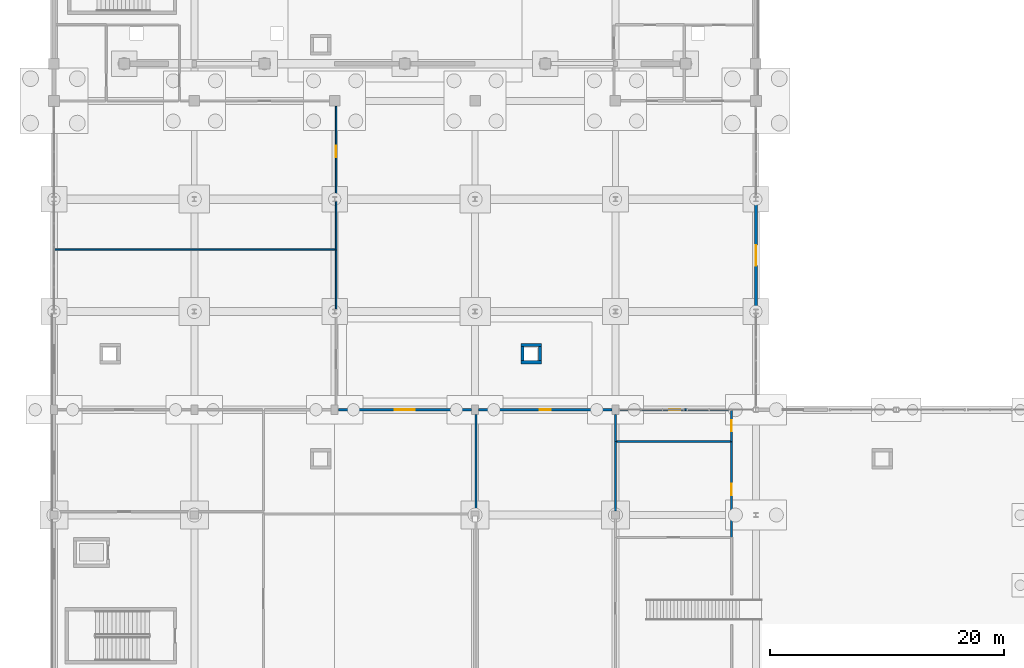
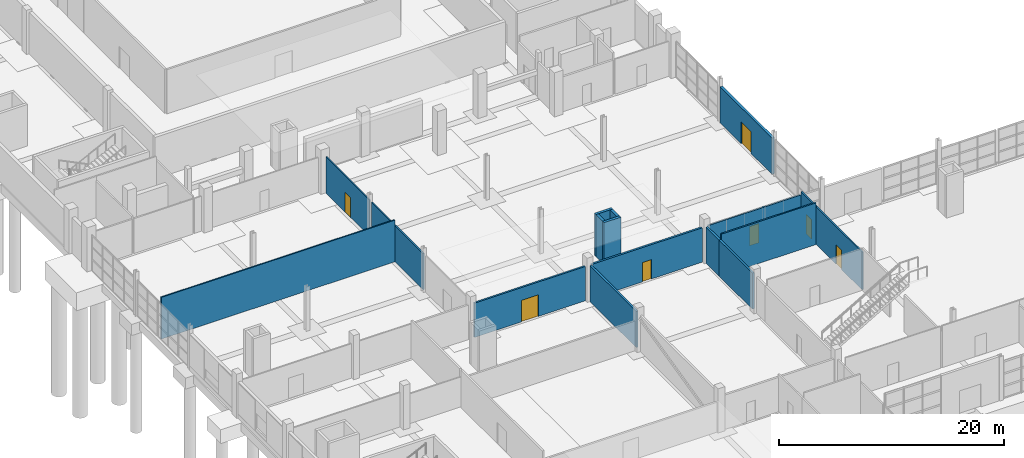
# One storey, part 56 of 82: 18 walls, 7 doors, 7 openings.
"""IFC4 building model written with IfcOpenShell, lengths in metres."""

import ifcopenshell
import ifcopenshell.guid

model = None  # the IFC model being written
_history = None  # IfcOwnerHistory: only IFC2X3 demands one
_inside = {}  # id of a spatial element -> (the spatial element, [elements in it])
_under = {}  # id of a project, library or spatial element -> (it, [spatial elements below it])
_declared = {}  # id of a project -> (the project, [libraries it declares])
_typed = {}  # id of a type object -> (the type object, [elements of that type])
_made_of = {}  # id of a material, layer set ... -> (it, [elements and type objects made of it])


def new_model(schema):
    """Start an empty IFC model of exactly this schema.

    Asked for "IFC4X3", IfcOpenShell would pick the latest addendum, in which some entities
    have other attributes; the version numbers below select the first issue.
    IFC2X3 requires an IfcOwnerHistory on every rooted entity: one is made here for all.
    """
    global model, _history
    if schema == "IFC4X3":
        model = ifcopenshell.file(schema_version=(4, 3, 0, 0))
    else:
        model = ifcopenshell.file(schema=schema)
    _inside.clear()
    _under.clear()
    _declared.clear()
    _typed.clear()
    _made_of.clear()
    _history = None
    if model.schema == "IFC2X3":
        org = make("IfcOrganization", Name="unknown")
        user = make(
            "IfcPersonAndOrganization",
            ThePerson=make("IfcPerson", FamilyName="unknown"),
            TheOrganization=org,
        )
        app = make(
            "IfcApplication",
            ApplicationDeveloper=org,
            Version="unknown",
            ApplicationFullName="unknown",
            ApplicationIdentifier="unknown",
        )
        _history = make(
            "IfcOwnerHistory",
            OwningUser=user,
            OwningApplication=app,
            ChangeAction="ADDED",
            CreationDate=0,
        )
    return model


def make(cls, **values):
    """One entity of the class cls with the attributes given. An attribute that is None is left unset."""
    return model.create_entity(
        cls, **{name: value for name, value in values.items() if value is not None}
    )


def rooted(cls, **values):
    """An entity with a GlobalId (a new one), such as an element, a storey or a relation."""
    return make(cls, GlobalId=ifcopenshell.guid.new(), OwnerHistory=_history, **values)


def si_unit(unit_type, name, prefix=None):
    """IfcSIUnit, for example si_unit("LENGTHUNIT", "METRE", prefix="MILLI")."""
    return make("IfcSIUnit", UnitType=unit_type, Prefix=prefix, Name=name)


def assignment(units):
    """IfcUnitAssignment: the units of a project."""
    return None if units is None else make("IfcUnitAssignment", Units=units)


def point(xyz):
    """IfcCartesianPoint."""
    return None if xyz is None else make("IfcCartesianPoint", Coordinates=xyz)


def direction(xyz):
    """IfcDirection."""
    return None if xyz is None else make("IfcDirection", DirectionRatios=xyz)


def frame(location, z_axis=None, x_axis=None):
    """IfcAxis2Placement3D, a coordinate frame: its origin and axes. An axis left out is left unset."""
    return make(
        "IfcAxis2Placement3D",
        Location=point(location),
        Axis=direction(z_axis),
        RefDirection=direction(x_axis),
    )


def frame_2d(location, x_axis=None):
    """IfcAxis2Placement2D, a coordinate frame in the plane: its origin and x axis."""
    return make(
        "IfcAxis2Placement2D", Location=point(location), RefDirection=direction(x_axis)
    )


def origin():
    """The frame at (0, 0, 0) with its axes left unset."""
    return frame((0.0, 0.0, 0.0))


def place(relative_to, where):
    """IfcLocalPlacement: puts the frame where relative to a parent placement (None: the world)."""
    return make(
        "IfcLocalPlacement", PlacementRelTo=relative_to, RelativePlacement=where
    )


def context(
    kind, dimensions, precision=None, world=None, true_north=None, identifier=None
):
    """IfcGeometricRepresentationContext, for example the 3D "Model" context."""
    return make(
        "IfcGeometricRepresentationContext",
        ContextIdentifier=identifier,
        ContextType=kind,
        CoordinateSpaceDimension=dimensions,
        Precision=precision,
        WorldCoordinateSystem=world,
        TrueNorth=true_north,
    )


def subcontext(parent, identifier, kind, view, scale=None):
    """IfcGeometricRepresentationSubContext, for example "Body" below "Model"."""
    return make(
        "IfcGeometricRepresentationSubContext",
        ContextIdentifier=identifier,
        ContextType=kind,
        ParentContext=parent,
        TargetScale=scale,
        TargetView=view,
    )


def project(units=None, contexts=None):
    """IfcProject with its units and contexts."""
    return rooted(
        "IfcProject",
        Name="project",
        RepresentationContexts=contexts,
        UnitsInContext=assignment(units),
    )


def spatial(cls, under=None, at=None, **own):
    """A site, building, storey or space (cls), placed at a placement, below another one or the project."""
    s = rooted(cls, ObjectPlacement=at, **own)
    if under is not None:
        _under.setdefault(under.id(), (under, []))[1].append(s)
    return s


def profile(cls, at=None, kind="AREA", **sizes):
    """A parametric profile (cls). Its sizes go by their IFC names, for example OverallWidth=200.0."""
    return make(cls, ProfileType=kind, Position=at, **sizes)


def rectangle(**sizes):
    """IfcRectangleProfileDef."""
    return profile("IfcRectangleProfileDef", **sizes)


def extrude(swept, where, along, depth):
    """IfcExtrudedAreaSolid: the profile swept, set in the frame where, extruded along a direction by depth."""
    return make(
        "IfcExtrudedAreaSolid",
        SweptArea=swept,
        Position=where,
        ExtrudedDirection=direction(along),
        Depth=depth,
    )


def shape(context_of_items, identifier, shape_type, items):
    """IfcShapeRepresentation: the items that make up one representation, for example the "Body"."""
    return make(
        "IfcShapeRepresentation",
        ContextOfItems=context_of_items,
        RepresentationIdentifier=identifier,
        RepresentationType=shape_type,
        Items=items,
    )


def material(Name=None, Category=None):
    """IfcMaterial."""
    return make("IfcMaterial", Name=Name, Category=Category)


def layer(
    of_material, thickness, ventilated=None, Name=None, Category=None, Priority=None
):
    """IfcMaterialLayer: one layer of a wall or slab, of a material (None: an air gap)."""
    return make(
        "IfcMaterialLayer",
        Material=of_material,
        LayerThickness=thickness,
        IsVentilated=ventilated,
        Name=Name,
        Category=Category,
        Priority=Priority,
    )


def layer_set(layers, Name=None):
    """IfcMaterialLayerSet."""
    return make("IfcMaterialLayerSet", MaterialLayers=layers, LayerSetName=Name)


def made_of(thing, what):
    """Note that an element or type object is made of a material, layer set ...; save() writes the relation."""
    if what is not None:
        _made_of.setdefault(what.id(), (what, []))[1].append(thing)
    return thing


def type_object(cls, material=None, **own):
    """A type object (cls), such as IfcWallType, which elements share."""
    return made_of(rooted(cls, **own), material)


def element(
    cls,
    number,
    at=None,
    inside=None,
    cuts=None,
    type_object=None,
    material=None,
    context=None,
    identifier="Body",
    shape_type=None,
    held_by="IfcProductDefinitionShape",
    body=None,
    shapes=None,
    **own,
):
    """One element of the class cls, such as IfcWall. Its Tag is "e" and its number.

    at: its placement. inside: the storey or other place that contains it. cuts: it is an
    opening in that element (IfcRelVoidsElement). A single representation is given by context,
    identifier, shape_type and body (its items); several are given by shapes. held_by: the class
    of the entity that holds the representations. save() writes the other relations.
    """
    e = rooted(cls, Tag="e%d" % number, ObjectPlacement=at, **own)
    if body is not None:
        shapes = [shape(context, identifier, shape_type, body)]
    if shapes is not None:
        e.Representation = make(held_by, Representations=shapes)
    if inside is not None:
        _inside.setdefault(inside.id(), (inside, []))[1].append(e)
    if cuts is not None:
        rooted(
            "IfcRelVoidsElement", RelatingBuildingElement=cuts, RelatedOpeningElement=e
        )
    if type_object is not None:
        _typed.setdefault(type_object.id(), (type_object, []))[1].append(e)
    return made_of(e, material)


def fill(opening, filler):
    """IfcRelFillsElement: the door or window that sits in an opening."""
    return rooted(
        "IfcRelFillsElement",
        RelatingOpeningElement=opening,
        RelatedBuildingElement=filler,
    )


def aggregate(whole, parts):
    """IfcRelAggregates: a whole, such as a stair, and the parts it consists of."""
    return rooted("IfcRelAggregates", RelatingObject=whole, RelatedObjects=parts)


def save(model, path):
    """Write the relations noted so far, then the file.

    IfcRelAggregates (storeys below a building ...), IfcRelContainedInSpatialStructure (elements
    in a storey), IfcRelDefinesByType, IfcRelAssociatesMaterial and IfcRelDeclares: one each for
    every whole, place, type object, material and project.
    """
    for whole, parts in _under.values():
        aggregate(whole, parts)
    for where, things in _inside.values():
        rooted(
            "IfcRelContainedInSpatialStructure",
            RelatedElements=things,
            RelatingStructure=where,
        )
    for kind, things in _typed.values():
        rooted("IfcRelDefinesByType", RelatedObjects=things, RelatingType=kind)
    for what, things in _made_of.values():
        rooted("IfcRelAssociatesMaterial", RelatedObjects=things, RelatingMaterial=what)
    for by, libraries in _declared.values():
        rooted("IfcRelDeclares", RelatingContext=by, RelatedDefinitions=libraries)
    model.write(path)


model = new_model("IFC4")

# Units and contexts
model_context = context("Model", 3, precision=1e-05, world=origin(), true_north=direction((0.0, 1.0)))
body_context = subcontext(model_context, "Body", "Model", "MODEL_VIEW")
ifc_project = project(units=[si_unit("LENGTHUNIT", "METRE"), si_unit("AREAUNIT", "SQUARE_METRE"), si_unit("VOLUMEUNIT", "CUBIC_METRE"), si_unit("PLANEANGLEUNIT", "RADIAN"), si_unit("MASSUNIT", "GRAM", prefix="KILO")], contexts=[model_context])

# Site, building, storey
site_placement = place(None, origin())
site = spatial("IfcSite", under=ifc_project, at=site_placement, CompositionType="ELEMENT")
building_placement = place(site_placement, origin())
building = spatial("IfcBuilding", under=site, at=building_placement, Name="Kelmvaro Bay Concert Hall", CompositionType="ELEMENT")
storey_placement = place(building_placement, origin())
storey = spatial("IfcBuildingStorey", under=building, at=storey_placement, Name="L00", CompositionType="ELEMENT", Elevation=0.0)

# Walls
ifc_material_1 = material(Name="Acoustic Gypsum Board on Galvanised Steel Studs", Category="steel")
ifc_layer_1 = layer(ifc_material_1, 0.1298828125)
ifc_layer_set_1 = layer_set([ifc_layer_1], Name="Acoustic Gypsum Board on Galvanised Steel Studs")
wall_type_1 = type_object("IfcWallType", Name="Classroom Acoustic Partition 130", PredefinedType="PARTITIONING", material=ifc_layer_set_1)
wall_1_placement = place(storey_placement, frame((24.1201171875, 47.594482421875, 0.0), z_axis=(0.0, 0.0, 1.0), x_axis=(0.0, 1.0, 0.0)))
element("IfcWall", 1, at=wall_1_placement, inside=storey, type_object=wall_type_1, Name="L00 Interior Partition PT-L00-0121", PredefinedType="PARTITIONING", context=body_context, shape_type="SweptSolid", body=[
    extrude(rectangle(XDim=5.090576171875, YDim=0.1298828125, at=frame_2d((2.54541015625, 0.0))), origin(), (0.0, 0.0, 1.0), 3.9189453125),
])
wall_2_placement = place(storey_placement, frame((0.050048828125, 52.679931640625, 0.0), z_axis=(0.0, 0.0, 1.0), x_axis=(1.0, 0.0, 0.0)))
element("IfcWall", 2, at=wall_2_placement, inside=storey, type_object=wall_type_1, Name="L00 Interior Partition PT-L00-0124", PredefinedType="PARTITIONING", context=body_context, shape_type="SweptSolid", body=[
    extrude(rectangle(XDim=23.994873046875, YDim=0.1298828125, at=frame_2d((11.99755859375, 0.0))), origin(), (0.0, 0.0, 1.0), 4.530029296875),
])
ifc_material_2 = material(Name="Acoustic Gypsum Board on Galvanised Steel Studs", Category="steel")
ifc_layer_2 = layer(ifc_material_2, 0.199951171875)
ifc_layer_set_2 = layer_set([ifc_layer_2], Name="Acoustic Gypsum Board on Galvanised Steel Studs")
wall_type_2 = type_object("IfcWallType", Name="Double-Stud Acoustic Studio Partition 200", PredefinedType="PARTITIONING", material=ifc_layer_set_2)
wall_3_placement = place(storey_placement, frame((36.080078125, 30.35791015625, 0.0), z_axis=(0.0, 0.0, 1.0), x_axis=(0.0, 1.0, 0.0)))
element("IfcWall", 3, at=wall_3_placement, inside=storey, type_object=wall_type_2, Name="L00 Interior Partition PT-L00-0065", PredefinedType="PARTITIONING", context=body_context, shape_type="SweptSolid", body=[
    extrude(rectangle(XDim=8.234130859375, YDim=0.199951171875, at=frame_2d((4.1171875, 0.0))), origin(), (0.0, 0.0, 1.0), 3.9189453125),
])
wall_4_placement = place(storey_placement, frame((48.0, 30.35791015625, 0.0), z_axis=(0.0, 0.0, 1.0), x_axis=(0.0, 1.0, 0.0)))
element("IfcWall", 4, at=wall_4_placement, inside=storey, type_object=wall_type_2, Name="L00 Interior Partition PT-L00-0075", PredefinedType="PARTITIONING", context=body_context, shape_type="SweptSolid", body=[
    extrude(rectangle(XDim=5.927001953125, YDim=0.199951171875, at=frame_2d((2.96337890625, 0.0))), origin(), (0.0, 0.0, 1.0), 3.9189453125),
])
wall_5_placement = place(storey_placement, frame((48.0, 36.27490234375, 0.0), z_axis=(0.0, 0.0, 1.0), x_axis=(0.0, 1.0, 0.0)))
element("IfcWall", 5, at=wall_5_placement, inside=storey, type_object=wall_type_2, Name="L00 Interior Partition PT-L00-0076", PredefinedType="PARTITIONING", context=body_context, shape_type="SweptSolid", body=[
    extrude(rectangle(XDim=2.317138671875, YDim=0.199951171875, at=frame_2d((1.15869140625, 0.0))), origin(), (0.0, 0.0, 1.0), 3.9189453125),
])

# Wall, opening, door
wall_6_placement = place(storey_placement, frame((36.30810546875, 39.0, 0.0), z_axis=(0.0, 0.0, 1.0), x_axis=(1.0, 0.0, 0.0)))
wall_6 = element("IfcWall", 6, at=wall_6_placement, inside=storey, type_object=wall_type_2, Name="L00 Interior Partition PT-L00-0077", PredefinedType="PARTITIONING", context=body_context, shape_type="SweptSolid", body=[
    extrude(rectangle(XDim=11.3837890625, YDim=0.199951171875, at=frame_2d((5.69189453125, 0.0))), origin(), (0.0, 0.0, 1.0), 3.72998046875),
])
opening_1_placement = place(wall_6_placement, frame((5.237060546875, 0.0, 0.0)))
opening_1 = element("IfcOpeningElement", 7, at=opening_1_placement, cuts=wall_6, Name="Opening ID-PL2", PredefinedType="OPENING", context=body_context, shape_type="SweptSolid", body=[
    extrude(rectangle(XDim=0.909912109375, YDim=2.10009765625, at=frame_2d((0.455078125, 1.050048828125))), frame((0.0, 0.10986328125, 0.0), z_axis=(0.0, -1.0, 0.0), x_axis=(1.0, 0.0, 0.0)), (0.0, 0.0, 1.0), 0.219970703125),
])
ifc_material_3 = material(Name="Fire-Rated Galvanised Steel", Category="steel")
door_type_1 = type_object("IfcDoorType", Name="Fire Command and Storage Door 910x2100", OperationType="NOTDEFINED", PredefinedType="DOOR", material=ifc_material_3)
door_1_placement = place(opening_1_placement, origin())
door_1 = element("IfcDoor", 8, at=door_1_placement, inside=storey, type_object=door_type_1, Name="L00 Interior Door DR-INT-L00-0047", OperationType="SINGLE_SWING_LEFT", OverallHeight=2.10009765625, OverallWidth=0.909912109375, PredefinedType="DOOR", context=body_context, shape_type="SweptSolid", body=[
    extrude(rectangle(XDim=0.909912109375, YDim=2.10009765625, at=frame_2d((0.455078125, 1.050048828125))), frame((0.0, 0.02490234375, 0.0), z_axis=(0.0, -1.0, 0.0), x_axis=(1.0, 0.0, 0.0)), (0.0, 0.0, 1.0), 0.050048828125),
])
fill(opening_1, door_1)

ifc_material_4 = material(Name="Precast Concrete C40/50", Category="concrete")
ifc_layer_3 = layer(ifc_material_4, 0.260009765625)
ifc_layer_set_3 = layer_set([ifc_layer_3], Name="Precast Concrete C40/50")
wall_type_3 = type_object("IfcWallType", Name="Foyer Spandrel Precast Wall 260", PredefinedType="SOLIDWALL", material=ifc_layer_set_3)
wall_7_placement = place(storey_placement, frame((60.0, 56.8134765625, 0.0), z_axis=(0.0, 0.0, 1.0), x_axis=(0.0, -1.0, 0.0)))
wall_7 = element("IfcWall", 9, at=wall_7_placement, inside=storey, type_object=wall_type_3, Name="L00 Exterior Wall EW-L00-0280", PredefinedType="SOLIDWALL", context=body_context, shape_type="SweptSolid", body=[
    extrude(rectangle(XDim=9.22705078125, YDim=0.260009765625, at=frame_2d((4.613525390625, 0.0))), origin(), (0.0, 0.0, 1.0), 3.9189453125),
])
opening_2_placement = place(wall_7_placement, frame((3.738525390625, 0.0, 0.0)))
opening_2 = element("IfcOpeningElement", 10, at=opening_2_placement, cuts=wall_7, Name="Opening ED-175", PredefinedType="OPENING", context=body_context, shape_type="SweptSolid", body=[
    extrude(rectangle(XDim=1.75, YDim=2.35009765625, at=frame_2d((0.875, 1.175048828125))), frame((0.0, 0.139892578125, 0.0), z_axis=(0.0, -1.0, 0.0), x_axis=(1.0, 0.0, 0.0)), (0.0, 0.0, 1.0), 0.280029296875),
])
ifc_material_5 = material(Name="Thermally Broken Aluminium and Laminated Safety Glass", Category="aluminium")
door_type_2 = type_object("IfcDoorType", Name="Courtyard Promenade Exit Door 1750x2350", OperationType="NOTDEFINED", PredefinedType="DOOR", material=ifc_material_5)
door_2_placement = place(opening_2_placement, origin())
door_2 = element("IfcDoor", 11, at=door_2_placement, inside=storey, type_object=door_type_2, Name="L00 Exterior Door DR-EXT-L00-035", OperationType="DOUBLE_DOOR_SINGLE_SWING", OverallHeight=2.35009765625, OverallWidth=1.75, PredefinedType="DOOR", context=body_context, shape_type="SweptSolid", body=[
    extrude(rectangle(XDim=1.75, YDim=2.35009765625, at=frame_2d((0.875, 1.175048828125))), frame((0.0, 0.02490234375, 0.0), z_axis=(0.0, -1.0, 0.0), x_axis=(1.0, 0.0, 0.0)), (0.0, 0.0, 1.0), 0.050048828125),
])
fill(opening_2, door_2)

ifc_material_6 = material(Name="Acoustic Gypsum Board on Galvanised Steel Studs", Category="steel")
ifc_layer_4 = layer(ifc_material_6, 0.179931640625)
ifc_layer_set_4 = layer_set([ifc_layer_4], Name="Acoustic Gypsum Board on Galvanised Steel Studs")
wall_type_4 = type_object("IfcWallType", Name="Rehearsal Suite Acoustic Partition 180", PredefinedType="PARTITIONING", material=ifc_layer_set_4)
wall_8_placement = place(storey_placement, frame((24.30810546875, 39.0, 0.0), z_axis=(0.0, 0.0, 1.0), x_axis=(1.0, 0.0, 0.0)))
wall_8 = element("IfcWall", 12, at=wall_8_placement, inside=storey, type_object=wall_type_4, Name="L00 Interior Partition PT-L00-0066", PredefinedType="PARTITIONING", context=body_context, shape_type="SweptSolid", body=[
    extrude(rectangle(XDim=11.3837890625, YDim=0.179931640625, at=frame_2d((5.69189453125, 0.0))), origin(), (0.0, 0.0, 1.0), 3.72998046875),
])
opening_3_placement = place(wall_8_placement, frame((4.83203125, 0.0, 0.0)))
opening_3 = element("IfcOpeningElement", 13, at=opening_3_placement, cuts=wall_8, Name="Opening ID-AC4", PredefinedType="OPENING", context=body_context, shape_type="SweptSolid", body=[
    extrude(rectangle(XDim=1.719970703125, YDim=2.340087890625, at=frame_2d((0.85986328125, 1.169921875))), frame((0.0, 0.099853515625, 0.0), z_axis=(0.0, -1.0, 0.0), x_axis=(1.0, 0.0, 0.0)), (0.0, 0.0, 1.0), 0.199951171875),
])
ifc_material_7 = material(Name="Solid White Oak Acoustic Leaf")
door_type_3 = type_object("IfcDoorType", Name="Rehearsal Hall Acoustic Pair Door 1720x2340", OperationType="NOTDEFINED", PredefinedType="DOOR", material=ifc_material_7)
door_3_placement = place(opening_3_placement, origin())
door_3 = element("IfcDoor", 14, at=door_3_placement, inside=storey, type_object=door_type_3, Name="L00 Interior Door DR-INT-L00-0045", OperationType="DOUBLE_DOOR_SINGLE_SWING", OverallHeight=2.340087890625, OverallWidth=1.719970703125, PredefinedType="DOOR", context=body_context, shape_type="SweptSolid", body=[
    extrude(rectangle(XDim=1.719970703125, YDim=2.340087890625, at=frame_2d((0.85986328125, 1.169921875))), frame((0.0, 0.02490234375, 0.0), z_axis=(0.0, -1.0, 0.0), x_axis=(1.0, 0.0, 0.0)), (0.0, 0.0, 1.0), 0.050048828125),
])
fill(opening_3, door_3)

# Walls
ifc_material_8 = material(Name="Concrete C40/50", Category="concrete")
ifc_layer_5 = layer(ifc_material_8, 0.27001953125)
ifc_layer_set_5 = layer_set([ifc_layer_5], Name="Concrete C40/50")
wall_type_5 = type_object("IfcWallType", Name="Secondary Shaft Shear Wall 270", PredefinedType="SHEAR", material=ifc_layer_set_5)
for number, where, z_axis, x_axis, name in (
    (15, (39.929931640625, 43.06494140625, 0.0), (0.0, 0.0, 1.0), (1.0, 0.0, 0.0), "L00 Service Riser Shaft Wall 045-S"),
    (16, (39.929931640625, 44.534912109375, 0.0), (0.0, 0.0, 1.0), (1.0, 0.0, 0.0), "L00 Service Riser Shaft Wall 046-N"),
):
    element("IfcWall", number, at=place(storey_placement, frame(where, z_axis=z_axis, x_axis=x_axis)), inside=storey, type_object=wall_type_5, Name=name, PredefinedType="SHEAR", context=body_context, shape_type="SweptSolid", body=[
        extrude(rectangle(XDim=1.739990234375, YDim=0.27001953125, at=frame_2d((0.8701171875, 0.0))), origin(), (0.0, 0.0, 1.0), 4.550048828125),
    ])
for number, where, z_axis, x_axis, name in (
    (17, (40.06494140625, 43.199951171875, 0.0), (0.0, 0.0, 1.0), (0.0, 1.0, 0.0), "L00 Service Riser Shaft Wall 047-W"),
    (18, (41.534912109375, 43.199951171875, 0.0), (0.0, 0.0, 1.0), (0.0, 1.0, 0.0), "L00 Service Riser Shaft Wall 048-E"),
):
    element("IfcWall", number, at=place(storey_placement, frame(where, z_axis=z_axis, x_axis=x_axis)), inside=storey, type_object=wall_type_5, Name=name, PredefinedType="SHEAR", context=body_context, shape_type="SweptSolid", body=[
        extrude(rectangle(XDim=1.199951171875, YDim=0.27001953125, at=frame_2d((0.60009765625, 0.0))), origin(), (0.0, 0.0, 1.0), 4.550048828125),
    ])
ifc_material_9 = material(Name="Acoustic Gypsum Board on Galvanised Steel Studs", Category="steel")
ifc_layer_6 = layer(ifc_material_9, 0.1201171875)
ifc_layer_set_6 = layer_set([ifc_layer_6], Name="Acoustic Gypsum Board on Galvanised Steel Studs")
wall_type_6 = type_object("IfcWallType", Name="Standard Architectural Partition 120", PredefinedType="PARTITIONING", material=ifc_layer_set_6)
wall_9_placement = place(storey_placement, frame((24.1201171875, 52.675048828125, 0.0), z_axis=(0.0, 0.0, 1.0), x_axis=(0.0, 1.0, 0.0)))
element("IfcWall", 19, at=wall_9_placement, inside=storey, type_object=wall_type_6, Name="L00 Interior Partition PT-L00-0122", PredefinedType="PARTITIONING", context=body_context, shape_type="SweptSolid", body=[
    extrude(rectangle(XDim=4.13037109375, YDim=0.1201171875, at=frame_2d((2.065185546875, 0.0))), origin(), (0.0, 0.0, 1.0), 3.9189453125),
])

# Wall, opening, door
wall_10_placement = place(storey_placement, frame((24.1201171875, 57.194580078125, 0.0), z_axis=(0.0, 0.0, 1.0), x_axis=(0.0, 1.0, 0.0)))
wall_10 = element("IfcWall", 20, at=wall_10_placement, inside=storey, type_object=wall_type_6, Name="L00 Interior Partition PT-L00-0123", PredefinedType="PARTITIONING", context=body_context, shape_type="SweptSolid", body=[
    extrude(rectangle(XDim=7.747314453125, YDim=0.1201171875, at=frame_2d((3.87353515625, 0.0))), origin(), (0.0, 0.0, 1.0), 3.927978515625),
])
opening_4_placement = place(wall_10_placement, frame((3.393798828125, 0.0, 0.0)))
opening_4 = element("IfcOpeningElement", 21, at=opening_4_placement, cuts=wall_10, Name="Opening ID-AD1", PredefinedType="OPENING", context=body_context, shape_type="SweptSolid", body=[
    extrude(rectangle(XDim=0.9599609375, YDim=2.159912109375, at=frame_2d((0.47998046875, 1.080078125))), frame((0.0, 0.070068359375, 0.0), z_axis=(0.0, -1.0, 0.0), x_axis=(1.0, 0.0, 0.0)), (0.0, 0.0, 1.0), 0.14013671875),
])
ifc_material_10 = material(Name="Anodised Aluminium and Glass", Category="aluminium")
door_type_4 = type_object("IfcDoorType", Name="Administration Suite Glazed Door 960x2160", OperationType="NOTDEFINED", PredefinedType="DOOR", material=ifc_material_10)
door_4_placement = place(opening_4_placement, origin())
door_4 = element("IfcDoor", 22, at=door_4_placement, inside=storey, type_object=door_type_4, Name="L00 Interior Door DR-INT-L00-0077", OperationType="SINGLE_SWING_LEFT", OverallHeight=2.159912109375, OverallWidth=0.9599609375, PredefinedType="DOOR", context=body_context, shape_type="SweptSolid", body=[
    extrude(rectangle(XDim=0.9599609375, YDim=2.159912109375, at=frame_2d((0.47998046875, 1.080078125))), frame((0.0, 0.02490234375, 0.0), z_axis=(0.0, -1.0, 0.0), x_axis=(1.0, 0.0, 0.0)), (0.0, 0.0, 1.0), 0.050048828125),
])
fill(opening_4, door_4)

ifc_material_11 = material(Name="Acoustic Gypsum Board on Galvanised Steel Studs", Category="steel")
ifc_layer_7 = layer(ifc_material_11, 0.14990234375)
ifc_layer_set_7 = layer_set([ifc_layer_7], Name="Acoustic Gypsum Board on Galvanised Steel Studs")
wall_type_7 = type_object("IfcWallType", Name="Wet Area Moisture-Resistant Partition 150", PredefinedType="PARTITIONING", material=ifc_layer_set_7)
wall_11_placement = place(storey_placement, frame((57.919921875, 28.074951171875, 0.0), z_axis=(0.0, 0.0, 1.0), x_axis=(0.0, 1.0, 0.0)))
wall_11 = element("IfcWall", 23, at=wall_11_placement, inside=storey, type_object=wall_type_7, Name="L00 Interior Partition PT-L00-0105", PredefinedType="PARTITIONING", context=body_context, shape_type="SweptSolid", body=[
    extrude(rectangle(XDim=8.2099609375, YDim=0.14990234375, at=frame_2d((4.10498046875, 0.0))), origin(), (0.0, 0.0, 1.0), 4.074951171875),
])
opening_5_placement = place(wall_11_placement, frame((3.60009765625, 0.0, 0.0)))
opening_5 = element("IfcOpeningElement", 24, at=opening_5_placement, cuts=wall_11, Name="Opening ID-WC2", PredefinedType="OPENING", context=body_context, shape_type="SweptSolid", body=[
    extrude(rectangle(XDim=1.010009765625, YDim=2.10009765625, at=frame_2d((0.5048828125, 1.050048828125))), frame((0.0, 0.0849609375, 0.0), z_axis=(0.0, -1.0, 0.0), x_axis=(1.0, 0.0, 0.0)), (0.0, 0.0, 1.0), 0.169921875),
])
ifc_material_12 = material(Name="High-Pressure Laminate Core")
door_type_5 = type_object("IfcDoorType", Name="Public Restroom Vestibule Door 1010x2100", OperationType="NOTDEFINED", PredefinedType="DOOR", material=ifc_material_12)
door_5_placement = place(opening_5_placement, origin())
door_5 = element("IfcDoor", 25, at=door_5_placement, inside=storey, type_object=door_type_5, Name="L00 Interior Door DR-INT-L00-0066", OperationType="SINGLE_SWING_RIGHT", OverallHeight=2.10009765625, OverallWidth=1.010009765625, PredefinedType="DOOR", context=body_context, shape_type="SweptSolid", body=[
    extrude(rectangle(XDim=1.010009765625, YDim=2.10009765625, at=frame_2d((0.5048828125, 1.050048828125))), frame((0.0, 0.02490234375, 0.0), z_axis=(0.0, -1.0, 0.0), x_axis=(1.0, 0.0, 0.0)), (0.0, 0.0, 1.0), 0.050048828125),
])
fill(opening_5, door_5)

wall_12_placement = place(storey_placement, frame((57.919921875, 36.27490234375, 0.0), z_axis=(0.0, 0.0, 1.0), x_axis=(0.0, 1.0, 0.0)))
wall_12 = element("IfcWall", 26, at=wall_12_placement, inside=storey, type_object=wall_type_7, Name="L00 Interior Partition PT-L00-0106", PredefinedType="PARTITIONING", context=body_context, shape_type="SweptSolid", body=[
    extrude(rectangle(XDim=2.675048828125, YDim=0.14990234375, at=frame_2d((1.33740234375, 0.0))), origin(), (0.0, 0.0, 1.0), 4.074951171875),
])
opening_6_placement = place(wall_12_placement, frame((0.867431640625, 0.0, 0.0)))
opening_6 = element("IfcOpeningElement", 27, at=opening_6_placement, cuts=wall_12, Name="Opening ID-WC1", PredefinedType="OPENING", context=body_context, shape_type="SweptSolid", body=[
    extrude(rectangle(XDim=0.93994140625, YDim=2.10009765625, at=frame_2d((0.469970703125, 1.050048828125))), frame((0.0, 0.0849609375, 0.0), z_axis=(0.0, -1.0, 0.0), x_axis=(1.0, 0.0, 0.0)), (0.0, 0.0, 1.0), 0.169921875),
])
ifc_material_13 = material(Name="High-Pressure Laminate Core")
door_type_6 = type_object("IfcDoorType", Name="Accessible Restroom Door 940x2100", OperationType="NOTDEFINED", PredefinedType="DOOR", material=ifc_material_13)
door_6_placement = place(opening_6_placement, origin())
door_6 = element("IfcDoor", 28, at=door_6_placement, inside=storey, type_object=door_type_6, Name="L00 Interior Door DR-INT-L00-0067", OperationType="SINGLE_SWING_LEFT", OverallHeight=2.10009765625, OverallWidth=0.93994140625, PredefinedType="DOOR", context=body_context, shape_type="SweptSolid", body=[
    extrude(rectangle(XDim=0.93994140625, YDim=2.10009765625, at=frame_2d((0.469970703125, 1.050048828125))), frame((0.0, 0.02490234375, 0.0), z_axis=(0.0, -1.0, 0.0), x_axis=(1.0, 0.0, 0.0)), (0.0, 0.0, 1.0), 0.050048828125),
])
fill(opening_6, door_6)

# Wall
wall_13_placement = place(storey_placement, frame((48.110107421875, 36.280029296875, 0.0), z_axis=(0.0, 0.0, 1.0), x_axis=(1.0, 0.0, 0.0)))
element("IfcWall", 29, at=wall_13_placement, inside=storey, type_object=wall_type_7, Name="L00 Interior Partition PT-L00-0118", PredefinedType="PARTITIONING", context=body_context, shape_type="SweptSolid", body=[
    extrude(rectangle(XDim=9.724853515625, YDim=0.14990234375, at=frame_2d((4.8623046875, 0.0))), origin(), (0.0, 0.0, 1.0), 4.530029296875),
])

# Wall, opening, door
wall_14_placement = place(storey_placement, frame((48.30810546875, 39.0, 0.0), z_axis=(0.0, 0.0, 1.0), x_axis=(1.0, 0.0, 0.0)))
wall_14 = element("IfcWall", 30, at=wall_14_placement, inside=storey, type_object=wall_type_7, Name="L00 Interior Partition PT-L00-0119", PredefinedType="PARTITIONING", context=body_context, shape_type="SweptSolid", body=[
    extrude(rectangle(XDim=9.52685546875, YDim=0.14990234375, at=frame_2d((4.763427734375, 0.0))), origin(), (0.0, 0.0, 1.0), 3.72998046875),
])
opening_7_placement = place(wall_14_placement, frame((4.29345703125, 0.0, 0.0)))
opening_7 = element("IfcOpeningElement", 31, at=opening_7_placement, cuts=wall_14, Name="Opening ID-WC1", PredefinedType="OPENING", context=body_context, shape_type="SweptSolid", body=[
    extrude(rectangle(XDim=0.93994140625, YDim=2.10009765625, at=frame_2d((0.469970703125, 1.050048828125))), frame((0.0, 0.0849609375, 0.0), z_axis=(0.0, -1.0, 0.0), x_axis=(1.0, 0.0, 0.0)), (0.0, 0.0, 1.0), 0.169921875),
])
door_7_placement = place(opening_7_placement, origin())
door_7 = element("IfcDoor", 32, at=door_7_placement, inside=storey, type_object=door_type_6, Name="L00 Interior Door DR-INT-L00-0075", OperationType="SINGLE_SWING_LEFT", OverallHeight=2.10009765625, OverallWidth=0.93994140625, PredefinedType="DOOR", context=body_context, shape_type="SweptSolid", body=[
    extrude(rectangle(XDim=0.93994140625, YDim=2.10009765625, at=frame_2d((0.469970703125, 1.050048828125))), frame((0.0, 0.02490234375, 0.0), z_axis=(0.0, -1.0, 0.0), x_axis=(1.0, 0.0, 0.0)), (0.0, 0.0, 1.0), 0.050048828125),
])
fill(opening_7, door_7)

save(model, "model.ifc")
